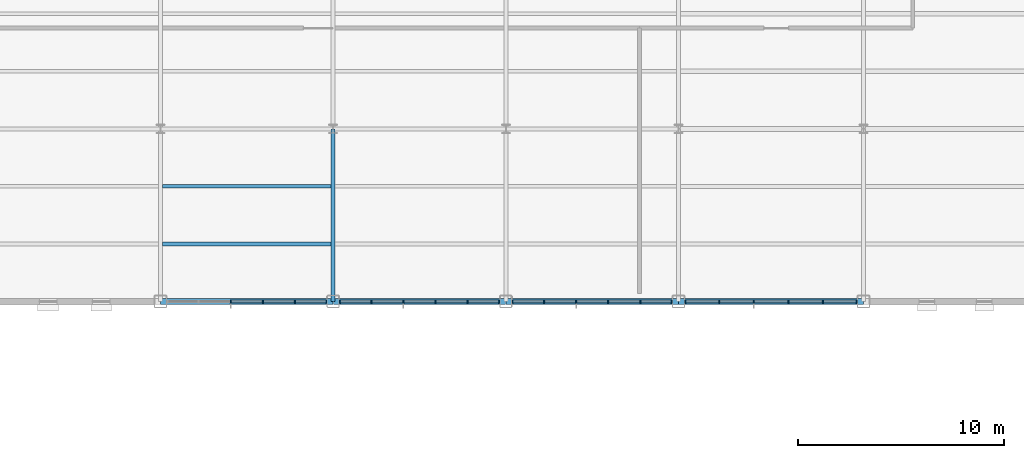
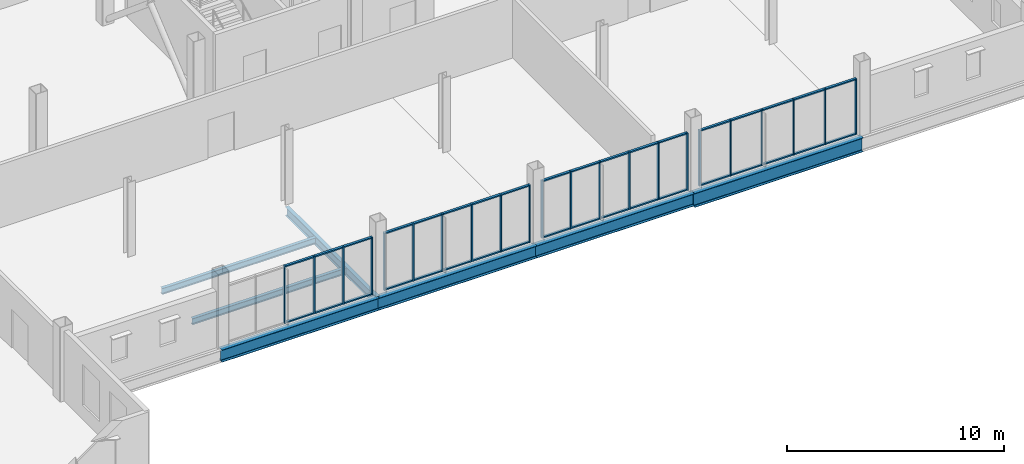
# One storey, part 18 of 45: 58 members, 7 beams, 4 elements without a shape of their own.
"""IFC4 building model written with IfcOpenShell, lengths in metres."""

from ifc_helpers import new_model, si_unit, direction, frame, origin, origin_2d, place, context, subcontext, project, spatial, rectangle, i_section, extrude, material, layer, layer_set, material_profile, profile_set, type_object, element, aggregate, save


model = new_model("IFC4")

# Units and contexts
model_context = context("Model", 3, precision=1e-05, world=origin(), true_north=direction((0.0, 1.0)))
body_context = subcontext(model_context, "Body", "Model", "MODEL_VIEW")
ifc_project = project(units=[si_unit("LENGTHUNIT", "METRE"), si_unit("AREAUNIT", "SQUARE_METRE"), si_unit("VOLUMEUNIT", "CUBIC_METRE"), si_unit("PLANEANGLEUNIT", "RADIAN"), si_unit("MASSUNIT", "GRAM", prefix="KILO")], contexts=[model_context])

# Site, building, storey
site_placement = place(None, origin())
site = spatial("IfcSite", under=ifc_project, at=site_placement, CompositionType="ELEMENT")
building_placement = place(site_placement, origin())
building = spatial("IfcBuilding", under=site, at=building_placement, Name="Yukiwa Park Conservatory and Herbarium", CompositionType="ELEMENT")
storey_placement = place(building_placement, frame((0.0, 0.0, 9.0)))
storey = spatial("IfcBuildingStorey", under=building, at=storey_placement, Name="L02", CompositionType="ELEMENT", Elevation=9.0)

# Beams
ifc_material_1 = material(Name="Steel Q355D", Category="steel")
ifc_material_profile_1 = material_profile(ifc_material_1, i_section(OverallWidth=0.199951171875, OverallDepth=0.5, WebThickness=0.010009765625, FlangeThickness=0.01611328125, FilletRadius=0.02001953125, at=origin_2d()), Name="HN 500x200x10x16")
ifc_profile_set_1 = profile_set([ifc_material_profile_1], Name="Steel Q355D")
beam_type_1 = type_object("IfcBeamType", Name="BM-GRD-HN500", PredefinedType="BEAM", material=ifc_profile_set_1)
beam_1_placement = place(storey_placement, frame((133.199951171875, 78.006103515625, -0.4951171875), z_axis=(0.0, 1.0, 0.0), x_axis=(-1.0, 0.0, 0.0)))
element("IfcBeam", 1, at=beam_1_placement, inside=storey, type_object=beam_type_1, Name="L02 grid girder Y-93", PredefinedType="BEAM", context=body_context, shape_type="SweptSolid", body=[
    extrude(i_section(OverallWidth=0.199951171875, OverallDepth=0.5, WebThickness=0.010009765625, FlangeThickness=0.01611328125, FilletRadius=0.02001953125, at=origin_2d()), origin(), (0.0, 0.0, 1.0), 8.387939453125),
])
ifc_material_2 = material(Name="Steel Q355D", Category="steel")
ifc_material_profile_2 = material_profile(ifc_material_2, i_section(OverallWidth=0.174072265625, OverallDepth=0.345947265625, WebThickness=0.006103515625, FlangeThickness=0.009033203125, FilletRadius=0.013916015625, at=origin_2d()), Name="HN 346x174x6x9")
ifc_profile_set_2 = profile_set([ifc_material_profile_2], Name="Steel Q355D")
beam_type_2 = type_object("IfcBeamType", Name="BM-JST-HN346", PredefinedType="JOIST", material=ifc_profile_set_2)
for number, where, z_axis, x_axis, name in (
    (2, (124.89599609375, 80.800048828125, -0.41796875), (1.0, 0.0, 0.0), (0.0, 1.0, 0.0), "L02 composite floor joist 45"),
    (3, (124.89599609375, 83.60009765625, -0.41796875), (1.0, 0.0, 0.0), (0.0, 1.0, 0.0), "L02 composite floor joist 46"),
):
    element("IfcBeam", number, at=place(storey_placement, frame(where, z_axis=z_axis, x_axis=x_axis)), inside=storey, type_object=beam_type_2, Name=name, PredefinedType="JOIST", context=body_context, shape_type="SweptSolid", body=[
        extrude(i_section(OverallWidth=0.174072265625, OverallDepth=0.345947265625, WebThickness=0.006103515625, FlangeThickness=0.009033203125, FilletRadius=0.013916015625, at=origin_2d()), origin(), (0.0, 0.0, 1.0), 8.2080078125),
    ])
ifc_material_3 = material(Name="Steel Q355D", Category="steel")
ifc_material_profile_3 = material_profile(ifc_material_3, i_section(OverallWidth=0.300048828125, OverallDepth=0.69189453125, WebThickness=0.012939453125, FlangeThickness=0.02001953125, FilletRadius=0.028076171875, at=origin_2d()), Name="HN 692x300x13x20")
ifc_profile_set_3 = profile_set([ifc_material_profile_3], Name="Steel Q355D")
beam_type_3 = type_object("IfcBeamType", Name="BM-SPN-HN550", PredefinedType="SPANDREL", material=ifc_profile_set_3)
beam_2_placement = place(storey_placement, frame((124.805908203125, 78.0, -0.591064453125), z_axis=(1.0, 0.0, 0.0), x_axis=(0.0, 1.0, 0.0)))
element("IfcBeam", 4, at=beam_2_placement, inside=storey, type_object=beam_type_3, Name="L02 spandrel beam X-29", PredefinedType="SPANDREL", context=body_context, shape_type="SweptSolid", body=[
    extrude(i_section(OverallWidth=0.300048828125, OverallDepth=0.69189453125, WebThickness=0.012939453125, FlangeThickness=0.02001953125, FilletRadius=0.028076171875, at=origin_2d()), origin(), (0.0, 0.0, 1.0), 8.38818359375),
])
for number, where, z_axis, x_axis, name in (
    (5, (133.2060546875, 78.0, -0.591064453125), (1.0, 0.0, 0.0), (0.0, 1.0, 0.0), "L02 spandrel beam X-30"),
    (6, (141.60595703125, 78.0, -0.591064453125), (1.0, 0.0, 0.0), (0.0, 1.0, 0.0), "L02 spandrel beam X-31"),
):
    element("IfcBeam", number, at=place(storey_placement, frame(where, z_axis=z_axis, x_axis=x_axis)), inside=storey, type_object=beam_type_3, Name=name, PredefinedType="SPANDREL", context=body_context, shape_type="SweptSolid", body=[
        extrude(i_section(OverallWidth=0.300048828125, OverallDepth=0.69189453125, WebThickness=0.012939453125, FlangeThickness=0.02001953125, FilletRadius=0.028076171875, at=origin_2d()), origin(), (0.0, 0.0, 1.0), 8.387939453125),
    ])
ifc_material_4 = material(Name="Steel Q355D", Category="steel")
ifc_material_profile_4 = material_profile(ifc_material_4, i_section(OverallWidth=0.300048828125, OverallDepth=0.7919921875, WebThickness=0.013916015625, FlangeThickness=0.02197265625, FilletRadius=0.028076171875, at=origin_2d()), Name="HN 792x300x14x22")
ifc_profile_set_4 = profile_set([ifc_material_profile_4], Name="Steel Q355D")
beam_type_4 = type_object("IfcBeamType", Name="BM-SPN-HN600", PredefinedType="SPANDREL", material=ifc_profile_set_4)
beam_3_placement = place(storey_placement, frame((150.006103515625, 78.0, -0.64111328125), z_axis=(1.0, 0.0, 0.0), x_axis=(0.0, 1.0, 0.0)))
element("IfcBeam", 7, at=beam_3_placement, inside=storey, type_object=beam_type_4, Name="L02 spandrel beam X-32", PredefinedType="SPANDREL", context=body_context, shape_type="SweptSolid", body=[
    extrude(i_section(OverallWidth=0.300048828125, OverallDepth=0.7919921875, WebThickness=0.013916015625, FlangeThickness=0.02197265625, FilletRadius=0.028076171875, at=origin_2d()), origin(), (0.0, 0.0, 1.0), 8.98779296875),
])

# Curtain wall, members
ifc_material_5 = material(Name="Triple Low-E Insulated Glass", Category="glass")
ifc_layer = layer(ifc_material_5, 0.199951171875)
ifc_layer_set = layer_set([ifc_layer], Name="Triple Low-E Insulated Glass")
curtain_wall_type = type_object("IfcCurtainWallType", Name="CW-VISITOR-1600", PredefinedType="NOTDEFINED", material=ifc_layer_set)
curtain_wall_1_placement = place(storey_placement, origin())
curtain_wall_1 = element("IfcCurtainWall", 8, at=curtain_wall_1_placement, inside=storey, type_object=curtain_wall_type, Name="L02 unitised curtain wall CW-L02-062", PredefinedType="NOTDEFINED")
ifc_material_6 = material(Name="Anodised Aluminium", Category="aluminium")
member_type_1 = type_object("IfcMemberType", Name="MB-CW-MUL-70X150", PredefinedType="MULLION", material=ifc_material_6)
member_1_placement = place(storey_placement, frame((128.219970703125, 78.0, 0.0), z_axis=(0.0, 0.0, 1.0), x_axis=(1.0, 0.0, 0.0)))
member_1 = element("IfcMember", 9, at=member_1_placement, type_object=member_type_1, Name="CW-L02-062 mullion 3", PredefinedType="MULLION", context=body_context, shape_type="SweptSolid", body=[
    extrude(rectangle(XDim=0.070068359375, YDim=0.14990234375, at=origin_2d()), origin(), (0.0, 0.0, 1.0), 3.242919921875),
])
member_2_placement = place(storey_placement, frame((129.780029296875, 78.0, 0.0), z_axis=(0.0, 0.0, 1.0), x_axis=(1.0, 0.0, 0.0)))
member_2 = element("IfcMember", 10, at=member_2_placement, type_object=member_type_1, Name="CW-L02-062 mullion 4", PredefinedType="MULLION", context=body_context, shape_type="SweptSolid", body=[
    extrude(rectangle(XDim=0.070068359375, YDim=0.14990234375, at=origin_2d()), origin(), (0.0, 0.0, 1.0), 3.242919921875),
])
member_3_placement = place(storey_placement, frame((131.340087890625, 78.0, 0.0), z_axis=(0.0, 0.0, 1.0), x_axis=(1.0, 0.0, 0.0)))
member_3 = element("IfcMember", 11, at=member_3_placement, type_object=member_type_1, Name="CW-L02-062 mullion 5", PredefinedType="MULLION", context=body_context, shape_type="SweptSolid", body=[
    extrude(rectangle(XDim=0.070068359375, YDim=0.14990234375, at=origin_2d()), origin(), (0.0, 0.0, 1.0), 3.242919921875),
])
member_4_placement = place(storey_placement, frame((132.864990234375, 78.0, 0.0), z_axis=(0.0, 0.0, 1.0), x_axis=(1.0, 0.0, 0.0)))
member_4 = element("IfcMember", 12, at=member_4_placement, type_object=member_type_1, Name="CW-L02-062 mullion 6", PredefinedType="MULLION", context=body_context, shape_type="SweptSolid", body=[
    extrude(rectangle(XDim=0.070068359375, YDim=0.14990234375, at=origin_2d()), origin(), (0.0, 0.0, 1.0), 3.242919921875),
])

curtain_wall_2_placement = place(storey_placement, origin())
curtain_wall_2 = element("IfcCurtainWall", 13, at=curtain_wall_2_placement, inside=storey, type_object=curtain_wall_type, Name="L02 unitised curtain wall CW-L02-063", PredefinedType="NOTDEFINED")
member_5_placement = place(storey_placement, frame((133.534912109375, 78.0, 0.0), z_axis=(0.0, 0.0, 1.0), x_axis=(1.0, 0.0, 0.0)))
member_5 = element("IfcMember", 14, at=member_5_placement, type_object=member_type_1, Name="CW-L02-063 mullion 1", PredefinedType="MULLION", context=body_context, shape_type="SweptSolid", body=[
    extrude(rectangle(XDim=0.070068359375, YDim=0.14990234375, at=origin_2d()), origin(), (0.0, 0.0, 1.0), 3.242919921875),
])
member_6_placement = place(storey_placement, frame((135.06005859375, 78.0, 0.0), z_axis=(0.0, 0.0, 1.0), x_axis=(1.0, 0.0, 0.0)))
member_6 = element("IfcMember", 15, at=member_6_placement, type_object=member_type_1, Name="CW-L02-063 mullion 2", PredefinedType="MULLION", context=body_context, shape_type="SweptSolid", body=[
    extrude(rectangle(XDim=0.070068359375, YDim=0.14990234375, at=origin_2d()), origin(), (0.0, 0.0, 1.0), 3.242919921875),
])
member_7_placement = place(storey_placement, frame((136.6201171875, 78.0, 0.0), z_axis=(0.0, 0.0, 1.0), x_axis=(1.0, 0.0, 0.0)))
member_7 = element("IfcMember", 16, at=member_7_placement, type_object=member_type_1, Name="CW-L02-063 mullion 3", PredefinedType="MULLION", context=body_context, shape_type="SweptSolid", body=[
    extrude(rectangle(XDim=0.070068359375, YDim=0.14990234375, at=origin_2d()), origin(), (0.0, 0.0, 1.0), 3.242919921875),
])
member_8_placement = place(storey_placement, frame((138.179931640625, 78.0, 0.0), z_axis=(0.0, 0.0, 1.0), x_axis=(1.0, 0.0, 0.0)))
member_8 = element("IfcMember", 17, at=member_8_placement, type_object=member_type_1, Name="CW-L02-063 mullion 4", PredefinedType="MULLION", context=body_context, shape_type="SweptSolid", body=[
    extrude(rectangle(XDim=0.070068359375, YDim=0.14990234375, at=origin_2d()), origin(), (0.0, 0.0, 1.0), 3.242919921875),
])
member_9_placement = place(storey_placement, frame((139.739990234375, 78.0, 0.0), z_axis=(0.0, 0.0, 1.0), x_axis=(1.0, 0.0, 0.0)))
member_9 = element("IfcMember", 18, at=member_9_placement, type_object=member_type_1, Name="CW-L02-063 mullion 5", PredefinedType="MULLION", context=body_context, shape_type="SweptSolid", body=[
    extrude(rectangle(XDim=0.070068359375, YDim=0.14990234375, at=origin_2d()), origin(), (0.0, 0.0, 1.0), 3.242919921875),
])
member_10_placement = place(storey_placement, frame((141.264892578125, 78.0, 0.0), z_axis=(0.0, 0.0, 1.0), x_axis=(1.0, 0.0, 0.0)))
member_10 = element("IfcMember", 19, at=member_10_placement, type_object=member_type_1, Name="CW-L02-063 mullion 6", PredefinedType="MULLION", context=body_context, shape_type="SweptSolid", body=[
    extrude(rectangle(XDim=0.070068359375, YDim=0.14990234375, at=origin_2d()), origin(), (0.0, 0.0, 1.0), 3.242919921875),
])

curtain_wall_3_placement = place(storey_placement, origin())
curtain_wall_3 = element("IfcCurtainWall", 20, at=curtain_wall_3_placement, inside=storey, type_object=curtain_wall_type, Name="L02 unitised curtain wall CW-L02-064", PredefinedType="NOTDEFINED")
member_11_placement = place(storey_placement, frame((141.93505859375, 78.0, 0.0), z_axis=(0.0, 0.0, 1.0), x_axis=(1.0, 0.0, 0.0)))
member_11 = element("IfcMember", 21, at=member_11_placement, type_object=member_type_1, Name="CW-L02-064 mullion 1", PredefinedType="MULLION", context=body_context, shape_type="SweptSolid", body=[
    extrude(rectangle(XDim=0.070068359375, YDim=0.14990234375, at=origin_2d()), origin(), (0.0, 0.0, 1.0), 3.242919921875),
])
member_12_placement = place(storey_placement, frame((143.4599609375, 78.0, 0.0), z_axis=(0.0, 0.0, 1.0), x_axis=(1.0, 0.0, 0.0)))
member_12 = element("IfcMember", 22, at=member_12_placement, type_object=member_type_1, Name="CW-L02-064 mullion 2", PredefinedType="MULLION", context=body_context, shape_type="SweptSolid", body=[
    extrude(rectangle(XDim=0.070068359375, YDim=0.14990234375, at=origin_2d()), origin(), (0.0, 0.0, 1.0), 3.242919921875),
])
member_13_placement = place(storey_placement, frame((145.02001953125, 78.0, 0.0), z_axis=(0.0, 0.0, 1.0), x_axis=(1.0, 0.0, 0.0)))
member_13 = element("IfcMember", 23, at=member_13_placement, type_object=member_type_1, Name="CW-L02-064 mullion 3", PredefinedType="MULLION", context=body_context, shape_type="SweptSolid", body=[
    extrude(rectangle(XDim=0.070068359375, YDim=0.14990234375, at=origin_2d()), origin(), (0.0, 0.0, 1.0), 3.242919921875),
])
member_14_placement = place(storey_placement, frame((146.580078125, 78.0, 0.0), z_axis=(0.0, 0.0, 1.0), x_axis=(1.0, 0.0, 0.0)))
member_14 = element("IfcMember", 24, at=member_14_placement, type_object=member_type_1, Name="CW-L02-064 mullion 4", PredefinedType="MULLION", context=body_context, shape_type="SweptSolid", body=[
    extrude(rectangle(XDim=0.070068359375, YDim=0.14990234375, at=origin_2d()), origin(), (0.0, 0.0, 1.0), 3.242919921875),
])
member_15_placement = place(storey_placement, frame((148.139892578125, 78.0, 0.0), z_axis=(0.0, 0.0, 1.0), x_axis=(1.0, 0.0, 0.0)))
member_15 = element("IfcMember", 25, at=member_15_placement, type_object=member_type_1, Name="CW-L02-064 mullion 5", PredefinedType="MULLION", context=body_context, shape_type="SweptSolid", body=[
    extrude(rectangle(XDim=0.070068359375, YDim=0.14990234375, at=origin_2d()), origin(), (0.0, 0.0, 1.0), 3.242919921875),
])
member_16_placement = place(storey_placement, frame((149.6650390625, 78.0, 0.0), z_axis=(0.0, 0.0, 1.0), x_axis=(1.0, 0.0, 0.0)))
member_16 = element("IfcMember", 26, at=member_16_placement, type_object=member_type_1, Name="CW-L02-064 mullion 6", PredefinedType="MULLION", context=body_context, shape_type="SweptSolid", body=[
    extrude(rectangle(XDim=0.070068359375, YDim=0.14990234375, at=origin_2d()), origin(), (0.0, 0.0, 1.0), 3.242919921875),
])

curtain_wall_4_placement = place(storey_placement, origin())
curtain_wall_4 = element("IfcCurtainWall", 27, at=curtain_wall_4_placement, inside=storey, type_object=curtain_wall_type, Name="L02 unitised curtain wall CW-L02-065", PredefinedType="NOTDEFINED")
member_17_placement = place(storey_placement, frame((150.3349609375, 78.0, 0.0), z_axis=(0.0, 0.0, 1.0), x_axis=(1.0, 0.0, 0.0)))
member_17 = element("IfcMember", 28, at=member_17_placement, type_object=member_type_1, Name="CW-L02-065 mullion 1", PredefinedType="MULLION", context=body_context, shape_type="SweptSolid", body=[
    extrude(rectangle(XDim=0.070068359375, YDim=0.14990234375, at=origin_2d()), origin(), (0.0, 0.0, 1.0), 3.14306640625),
])
member_18_placement = place(storey_placement, frame((151.97998046875, 78.0, 0.0), z_axis=(0.0, 0.0, 1.0), x_axis=(1.0, 0.0, 0.0)))
member_18 = element("IfcMember", 29, at=member_18_placement, type_object=member_type_1, Name="CW-L02-065 mullion 2", PredefinedType="MULLION", context=body_context, shape_type="SweptSolid", body=[
    extrude(rectangle(XDim=0.070068359375, YDim=0.14990234375, at=origin_2d()), origin(), (0.0, 0.0, 1.0), 3.14306640625),
])
member_19_placement = place(storey_placement, frame((153.659912109375, 78.0, 0.0), z_axis=(0.0, 0.0, 1.0), x_axis=(1.0, 0.0, 0.0)))
member_19 = element("IfcMember", 30, at=member_19_placement, type_object=member_type_1, Name="CW-L02-065 mullion 3", PredefinedType="MULLION", context=body_context, shape_type="SweptSolid", body=[
    extrude(rectangle(XDim=0.070068359375, YDim=0.14990234375, at=origin_2d()), origin(), (0.0, 0.0, 1.0), 3.14306640625),
])
member_20_placement = place(storey_placement, frame((155.340087890625, 78.0, 0.0), z_axis=(0.0, 0.0, 1.0), x_axis=(1.0, 0.0, 0.0)))
member_20 = element("IfcMember", 31, at=member_20_placement, type_object=member_type_1, Name="CW-L02-065 mullion 4", PredefinedType="MULLION", context=body_context, shape_type="SweptSolid", body=[
    extrude(rectangle(XDim=0.070068359375, YDim=0.14990234375, at=origin_2d()), origin(), (0.0, 0.0, 1.0), 3.14306640625),
])
member_21_placement = place(storey_placement, frame((157.02001953125, 78.0, 0.0), z_axis=(0.0, 0.0, 1.0), x_axis=(1.0, 0.0, 0.0)))
member_21 = element("IfcMember", 32, at=member_21_placement, type_object=member_type_1, Name="CW-L02-065 mullion 5", PredefinedType="MULLION", context=body_context, shape_type="SweptSolid", body=[
    extrude(rectangle(XDim=0.070068359375, YDim=0.14990234375, at=origin_2d()), origin(), (0.0, 0.0, 1.0), 3.14306640625),
])
member_22_placement = place(storey_placement, frame((158.6650390625, 78.0, 0.0), z_axis=(0.0, 0.0, 1.0), x_axis=(1.0, 0.0, 0.0)))
member_22 = element("IfcMember", 33, at=member_22_placement, type_object=member_type_1, Name="CW-L02-065 mullion 6", PredefinedType="MULLION", context=body_context, shape_type="SweptSolid", body=[
    extrude(rectangle(XDim=0.070068359375, YDim=0.14990234375, at=origin_2d()), origin(), (0.0, 0.0, 1.0), 3.14306640625),
])

# Member
ifc_material_7 = material(Name="Anodised Aluminium", Category="aluminium")
member_type_2 = type_object("IfcMemberType", Name="MB-CW-TRN-70X130", PredefinedType="USERDEFINED", material=ifc_material_7)
member_23_placement = place(storey_placement, frame((129.0, 78.0, 0.0), z_axis=(0.0, 0.0, 1.0), x_axis=(1.0, 0.0, 0.0)))
member_23 = element("IfcMember", 34, at=member_23_placement, type_object=member_type_2, Name="CW-L02-062 transom 3.1", ObjectType="TRANSOM", PredefinedType="USERDEFINED", context=body_context, shape_type="SweptSolid", body=[
    extrude(rectangle(XDim=1.489990234375, YDim=0.1298828125, at=origin_2d()), origin(), (0.0, 0.0, 1.0), 0.070068359375),
])

member_24_placement = place(storey_placement, frame((129.0, 78.0, 3.1728515625), z_axis=(0.0, 0.0, 1.0), x_axis=(1.0, 0.0, 0.0)))
member_24 = element("IfcMember", 35, at=member_24_placement, type_object=member_type_2, Name="CW-L02-062 transom 3.2", ObjectType="TRANSOM", PredefinedType="USERDEFINED", context=body_context, shape_type="SweptSolid", body=[
    extrude(rectangle(XDim=1.489990234375, YDim=0.1298828125, at=origin_2d()), origin(), (0.0, 0.0, 1.0), 0.070068359375),
])

member_25_placement = place(storey_placement, frame((130.56005859375, 78.0, 0.0), z_axis=(0.0, 0.0, 1.0), x_axis=(1.0, 0.0, 0.0)))
member_25 = element("IfcMember", 36, at=member_25_placement, type_object=member_type_2, Name="CW-L02-062 transom 4.1", ObjectType="TRANSOM", PredefinedType="USERDEFINED", context=body_context, shape_type="SweptSolid", body=[
    extrude(rectangle(XDim=1.489990234375, YDim=0.1298828125, at=origin_2d()), origin(), (0.0, 0.0, 1.0), 0.070068359375),
])

member_26_placement = place(storey_placement, frame((130.56005859375, 78.0, 3.1728515625), z_axis=(0.0, 0.0, 1.0), x_axis=(1.0, 0.0, 0.0)))
member_26 = element("IfcMember", 37, at=member_26_placement, type_object=member_type_2, Name="CW-L02-062 transom 4.2", ObjectType="TRANSOM", PredefinedType="USERDEFINED", context=body_context, shape_type="SweptSolid", body=[
    extrude(rectangle(XDim=1.489990234375, YDim=0.1298828125, at=origin_2d()), origin(), (0.0, 0.0, 1.0), 0.070068359375),
])

member_27_placement = place(storey_placement, frame((132.1201171875, 78.0, 0.0), z_axis=(0.0, 0.0, 1.0), x_axis=(1.0, 0.0, 0.0)))
member_27 = element("IfcMember", 38, at=member_27_placement, type_object=member_type_2, Name="CW-L02-062 transom 5.1", ObjectType="TRANSOM", PredefinedType="USERDEFINED", context=body_context, shape_type="SweptSolid", body=[
    extrude(rectangle(XDim=1.489990234375, YDim=0.1298828125, at=origin_2d()), origin(), (0.0, 0.0, 1.0), 0.070068359375),
])

member_28_placement = place(storey_placement, frame((132.1201171875, 78.0, 3.1728515625), z_axis=(0.0, 0.0, 1.0), x_axis=(1.0, 0.0, 0.0)))
member_28 = element("IfcMember", 39, at=member_28_placement, type_object=member_type_2, Name="CW-L02-062 transom 5.2", ObjectType="TRANSOM", PredefinedType="USERDEFINED", context=body_context, shape_type="SweptSolid", body=[
    extrude(rectangle(XDim=1.489990234375, YDim=0.1298828125, at=origin_2d()), origin(), (0.0, 0.0, 1.0), 0.070068359375),
])

aggregate(curtain_wall_1, [member_1, member_2, member_3, member_4, member_23, member_24, member_25, member_26, member_27, member_28])

member_29_placement = place(storey_placement, frame((134.280029296875, 78.0, 0.0), z_axis=(0.0, 0.0, 1.0), x_axis=(1.0, 0.0, 0.0)))
member_29 = element("IfcMember", 40, at=member_29_placement, type_object=member_type_2, Name="CW-L02-063 transom 1.1", ObjectType="TRANSOM", PredefinedType="USERDEFINED", context=body_context, shape_type="SweptSolid", body=[
    extrude(rectangle(XDim=1.489990234375, YDim=0.1298828125, at=origin_2d()), origin(), (0.0, 0.0, 1.0), 0.070068359375),
])

member_30_placement = place(storey_placement, frame((134.280029296875, 78.0, 3.1728515625), z_axis=(0.0, 0.0, 1.0), x_axis=(1.0, 0.0, 0.0)))
member_30 = element("IfcMember", 41, at=member_30_placement, type_object=member_type_2, Name="CW-L02-063 transom 1.2", ObjectType="TRANSOM", PredefinedType="USERDEFINED", context=body_context, shape_type="SweptSolid", body=[
    extrude(rectangle(XDim=1.489990234375, YDim=0.1298828125, at=origin_2d()), origin(), (0.0, 0.0, 1.0), 0.070068359375),
])

member_31_placement = place(storey_placement, frame((135.840087890625, 78.0, 0.0), z_axis=(0.0, 0.0, 1.0), x_axis=(1.0, 0.0, 0.0)))
member_31 = element("IfcMember", 42, at=member_31_placement, type_object=member_type_2, Name="CW-L02-063 transom 2.1", ObjectType="TRANSOM", PredefinedType="USERDEFINED", context=body_context, shape_type="SweptSolid", body=[
    extrude(rectangle(XDim=1.489990234375, YDim=0.1298828125, at=origin_2d()), origin(), (0.0, 0.0, 1.0), 0.070068359375),
])

member_32_placement = place(storey_placement, frame((135.840087890625, 78.0, 3.1728515625), z_axis=(0.0, 0.0, 1.0), x_axis=(1.0, 0.0, 0.0)))
member_32 = element("IfcMember", 43, at=member_32_placement, type_object=member_type_2, Name="CW-L02-063 transom 2.2", ObjectType="TRANSOM", PredefinedType="USERDEFINED", context=body_context, shape_type="SweptSolid", body=[
    extrude(rectangle(XDim=1.489990234375, YDim=0.1298828125, at=origin_2d()), origin(), (0.0, 0.0, 1.0), 0.070068359375),
])

member_33_placement = place(storey_placement, frame((137.39990234375, 78.0, 0.0), z_axis=(0.0, 0.0, 1.0), x_axis=(1.0, 0.0, 0.0)))
member_33 = element("IfcMember", 44, at=member_33_placement, type_object=member_type_2, Name="CW-L02-063 transom 3.1", ObjectType="TRANSOM", PredefinedType="USERDEFINED", context=body_context, shape_type="SweptSolid", body=[
    extrude(rectangle(XDim=1.489990234375, YDim=0.1298828125, at=origin_2d()), origin(), (0.0, 0.0, 1.0), 0.070068359375),
])

member_34_placement = place(storey_placement, frame((137.39990234375, 78.0, 3.1728515625), z_axis=(0.0, 0.0, 1.0), x_axis=(1.0, 0.0, 0.0)))
member_34 = element("IfcMember", 45, at=member_34_placement, type_object=member_type_2, Name="CW-L02-063 transom 3.2", ObjectType="TRANSOM", PredefinedType="USERDEFINED", context=body_context, shape_type="SweptSolid", body=[
    extrude(rectangle(XDim=1.489990234375, YDim=0.1298828125, at=origin_2d()), origin(), (0.0, 0.0, 1.0), 0.070068359375),
])

member_35_placement = place(storey_placement, frame((138.9599609375, 78.0, 0.0), z_axis=(0.0, 0.0, 1.0), x_axis=(1.0, 0.0, 0.0)))
member_35 = element("IfcMember", 46, at=member_35_placement, type_object=member_type_2, Name="CW-L02-063 transom 4.1", ObjectType="TRANSOM", PredefinedType="USERDEFINED", context=body_context, shape_type="SweptSolid", body=[
    extrude(rectangle(XDim=1.489990234375, YDim=0.1298828125, at=origin_2d()), origin(), (0.0, 0.0, 1.0), 0.070068359375),
])

member_36_placement = place(storey_placement, frame((138.9599609375, 78.0, 3.1728515625), z_axis=(0.0, 0.0, 1.0), x_axis=(1.0, 0.0, 0.0)))
member_36 = element("IfcMember", 47, at=member_36_placement, type_object=member_type_2, Name="CW-L02-063 transom 4.2", ObjectType="TRANSOM", PredefinedType="USERDEFINED", context=body_context, shape_type="SweptSolid", body=[
    extrude(rectangle(XDim=1.489990234375, YDim=0.1298828125, at=origin_2d()), origin(), (0.0, 0.0, 1.0), 0.070068359375),
])

member_37_placement = place(storey_placement, frame((140.52001953125, 78.0, 0.0), z_axis=(0.0, 0.0, 1.0), x_axis=(1.0, 0.0, 0.0)))
member_37 = element("IfcMember", 48, at=member_37_placement, type_object=member_type_2, Name="CW-L02-063 transom 5.1", ObjectType="TRANSOM", PredefinedType="USERDEFINED", context=body_context, shape_type="SweptSolid", body=[
    extrude(rectangle(XDim=1.489990234375, YDim=0.1298828125, at=origin_2d()), origin(), (0.0, 0.0, 1.0), 0.070068359375),
])

member_38_placement = place(storey_placement, frame((140.52001953125, 78.0, 3.1728515625), z_axis=(0.0, 0.0, 1.0), x_axis=(1.0, 0.0, 0.0)))
member_38 = element("IfcMember", 49, at=member_38_placement, type_object=member_type_2, Name="CW-L02-063 transom 5.2", ObjectType="TRANSOM", PredefinedType="USERDEFINED", context=body_context, shape_type="SweptSolid", body=[
    extrude(rectangle(XDim=1.489990234375, YDim=0.1298828125, at=origin_2d()), origin(), (0.0, 0.0, 1.0), 0.070068359375),
])

aggregate(curtain_wall_2, [member_5, member_6, member_7, member_8, member_9, member_10, member_29, member_30, member_31, member_32, member_33, member_34, member_35, member_36, member_37, member_38])

member_39_placement = place(storey_placement, frame((142.679931640625, 78.0, 0.0), z_axis=(0.0, 0.0, 1.0), x_axis=(1.0, 0.0, 0.0)))
member_39 = element("IfcMember", 50, at=member_39_placement, type_object=member_type_2, Name="CW-L02-064 transom 1.1", ObjectType="TRANSOM", PredefinedType="USERDEFINED", context=body_context, shape_type="SweptSolid", body=[
    extrude(rectangle(XDim=1.489990234375, YDim=0.1298828125, at=origin_2d()), origin(), (0.0, 0.0, 1.0), 0.070068359375),
])

member_40_placement = place(storey_placement, frame((142.679931640625, 78.0, 3.1728515625), z_axis=(0.0, 0.0, 1.0), x_axis=(1.0, 0.0, 0.0)))
member_40 = element("IfcMember", 51, at=member_40_placement, type_object=member_type_2, Name="CW-L02-064 transom 1.2", ObjectType="TRANSOM", PredefinedType="USERDEFINED", context=body_context, shape_type="SweptSolid", body=[
    extrude(rectangle(XDim=1.489990234375, YDim=0.1298828125, at=origin_2d()), origin(), (0.0, 0.0, 1.0), 0.070068359375),
])

member_41_placement = place(storey_placement, frame((144.239990234375, 78.0, 0.0), z_axis=(0.0, 0.0, 1.0), x_axis=(1.0, 0.0, 0.0)))
member_41 = element("IfcMember", 52, at=member_41_placement, type_object=member_type_2, Name="CW-L02-064 transom 2.1", ObjectType="TRANSOM", PredefinedType="USERDEFINED", context=body_context, shape_type="SweptSolid", body=[
    extrude(rectangle(XDim=1.489990234375, YDim=0.1298828125, at=origin_2d()), origin(), (0.0, 0.0, 1.0), 0.070068359375),
])

member_42_placement = place(storey_placement, frame((144.239990234375, 78.0, 3.1728515625), z_axis=(0.0, 0.0, 1.0), x_axis=(1.0, 0.0, 0.0)))
member_42 = element("IfcMember", 53, at=member_42_placement, type_object=member_type_2, Name="CW-L02-064 transom 2.2", ObjectType="TRANSOM", PredefinedType="USERDEFINED", context=body_context, shape_type="SweptSolid", body=[
    extrude(rectangle(XDim=1.489990234375, YDim=0.1298828125, at=origin_2d()), origin(), (0.0, 0.0, 1.0), 0.070068359375),
])

member_43_placement = place(storey_placement, frame((145.800048828125, 78.0, 0.0), z_axis=(0.0, 0.0, 1.0), x_axis=(1.0, 0.0, 0.0)))
member_43 = element("IfcMember", 54, at=member_43_placement, type_object=member_type_2, Name="CW-L02-064 transom 3.1", ObjectType="TRANSOM", PredefinedType="USERDEFINED", context=body_context, shape_type="SweptSolid", body=[
    extrude(rectangle(XDim=1.489990234375, YDim=0.1298828125, at=origin_2d()), origin(), (0.0, 0.0, 1.0), 0.070068359375),
])

member_44_placement = place(storey_placement, frame((145.800048828125, 78.0, 3.1728515625), z_axis=(0.0, 0.0, 1.0), x_axis=(1.0, 0.0, 0.0)))
member_44 = element("IfcMember", 55, at=member_44_placement, type_object=member_type_2, Name="CW-L02-064 transom 3.2", ObjectType="TRANSOM", PredefinedType="USERDEFINED", context=body_context, shape_type="SweptSolid", body=[
    extrude(rectangle(XDim=1.489990234375, YDim=0.1298828125, at=origin_2d()), origin(), (0.0, 0.0, 1.0), 0.070068359375),
])

member_45_placement = place(storey_placement, frame((147.360107421875, 78.0, 0.0), z_axis=(0.0, 0.0, 1.0), x_axis=(1.0, 0.0, 0.0)))
member_45 = element("IfcMember", 56, at=member_45_placement, type_object=member_type_2, Name="CW-L02-064 transom 4.1", ObjectType="TRANSOM", PredefinedType="USERDEFINED", context=body_context, shape_type="SweptSolid", body=[
    extrude(rectangle(XDim=1.489990234375, YDim=0.1298828125, at=origin_2d()), origin(), (0.0, 0.0, 1.0), 0.070068359375),
])

member_46_placement = place(storey_placement, frame((147.360107421875, 78.0, 3.1728515625), z_axis=(0.0, 0.0, 1.0), x_axis=(1.0, 0.0, 0.0)))
member_46 = element("IfcMember", 57, at=member_46_placement, type_object=member_type_2, Name="CW-L02-064 transom 4.2", ObjectType="TRANSOM", PredefinedType="USERDEFINED", context=body_context, shape_type="SweptSolid", body=[
    extrude(rectangle(XDim=1.489990234375, YDim=0.1298828125, at=origin_2d()), origin(), (0.0, 0.0, 1.0), 0.070068359375),
])

member_47_placement = place(storey_placement, frame((148.919921875, 78.0, 0.0), z_axis=(0.0, 0.0, 1.0), x_axis=(1.0, 0.0, 0.0)))
member_47 = element("IfcMember", 58, at=member_47_placement, type_object=member_type_2, Name="CW-L02-064 transom 5.1", ObjectType="TRANSOM", PredefinedType="USERDEFINED", context=body_context, shape_type="SweptSolid", body=[
    extrude(rectangle(XDim=1.489990234375, YDim=0.1298828125, at=origin_2d()), origin(), (0.0, 0.0, 1.0), 0.070068359375),
])

member_48_placement = place(storey_placement, frame((148.919921875, 78.0, 3.1728515625), z_axis=(0.0, 0.0, 1.0), x_axis=(1.0, 0.0, 0.0)))
member_48 = element("IfcMember", 59, at=member_48_placement, type_object=member_type_2, Name="CW-L02-064 transom 5.2", ObjectType="TRANSOM", PredefinedType="USERDEFINED", context=body_context, shape_type="SweptSolid", body=[
    extrude(rectangle(XDim=1.489990234375, YDim=0.1298828125, at=origin_2d()), origin(), (0.0, 0.0, 1.0), 0.070068359375),
])

aggregate(curtain_wall_3, [member_11, member_12, member_13, member_14, member_15, member_16, member_39, member_40, member_41, member_42, member_43, member_44, member_45, member_46, member_47, member_48])

member_49_placement = place(storey_placement, frame((151.139892578125, 78.0, 0.0), z_axis=(0.0, 0.0, 1.0), x_axis=(1.0, 0.0, 0.0)))
member_49 = element("IfcMember", 60, at=member_49_placement, type_object=member_type_2, Name="CW-L02-065 transom 1.1", ObjectType="TRANSOM", PredefinedType="USERDEFINED", context=body_context, shape_type="SweptSolid", body=[
    extrude(rectangle(XDim=1.610107421875, YDim=0.1298828125, at=origin_2d()), origin(), (0.0, 0.0, 1.0), 0.070068359375),
])

member_50_placement = place(storey_placement, frame((151.139892578125, 78.0, 3.07275390625), z_axis=(0.0, 0.0, 1.0), x_axis=(1.0, 0.0, 0.0)))
member_50 = element("IfcMember", 61, at=member_50_placement, type_object=member_type_2, Name="CW-L02-065 transom 1.2", ObjectType="TRANSOM", PredefinedType="USERDEFINED", context=body_context, shape_type="SweptSolid", body=[
    extrude(rectangle(XDim=1.610107421875, YDim=0.1298828125, at=origin_2d()), origin(), (0.0, 0.0, 1.0), 0.070068359375),
])

member_51_placement = place(storey_placement, frame((152.820068359375, 78.0, 0.0), z_axis=(0.0, 0.0, 1.0), x_axis=(1.0, 0.0, 0.0)))
member_51 = element("IfcMember", 62, at=member_51_placement, type_object=member_type_2, Name="CW-L02-065 transom 2.1", ObjectType="TRANSOM", PredefinedType="USERDEFINED", context=body_context, shape_type="SweptSolid", body=[
    extrude(rectangle(XDim=1.610107421875, YDim=0.1298828125, at=origin_2d()), origin(), (0.0, 0.0, 1.0), 0.070068359375),
])

member_52_placement = place(storey_placement, frame((152.820068359375, 78.0, 3.07275390625), z_axis=(0.0, 0.0, 1.0), x_axis=(1.0, 0.0, 0.0)))
member_52 = element("IfcMember", 63, at=member_52_placement, type_object=member_type_2, Name="CW-L02-065 transom 2.2", ObjectType="TRANSOM", PredefinedType="USERDEFINED", context=body_context, shape_type="SweptSolid", body=[
    extrude(rectangle(XDim=1.610107421875, YDim=0.1298828125, at=origin_2d()), origin(), (0.0, 0.0, 1.0), 0.070068359375),
])

member_53_placement = place(storey_placement, frame((154.5, 78.0, 0.0), z_axis=(0.0, 0.0, 1.0), x_axis=(1.0, 0.0, 0.0)))
member_53 = element("IfcMember", 64, at=member_53_placement, type_object=member_type_2, Name="CW-L02-065 transom 3.1", ObjectType="TRANSOM", PredefinedType="USERDEFINED", context=body_context, shape_type="SweptSolid", body=[
    extrude(rectangle(XDim=1.610107421875, YDim=0.1298828125, at=origin_2d()), origin(), (0.0, 0.0, 1.0), 0.070068359375),
])

member_54_placement = place(storey_placement, frame((154.5, 78.0, 3.07275390625), z_axis=(0.0, 0.0, 1.0), x_axis=(1.0, 0.0, 0.0)))
member_54 = element("IfcMember", 65, at=member_54_placement, type_object=member_type_2, Name="CW-L02-065 transom 3.2", ObjectType="TRANSOM", PredefinedType="USERDEFINED", context=body_context, shape_type="SweptSolid", body=[
    extrude(rectangle(XDim=1.610107421875, YDim=0.1298828125, at=origin_2d()), origin(), (0.0, 0.0, 1.0), 0.070068359375),
])

member_55_placement = place(storey_placement, frame((156.179931640625, 78.0, 0.0), z_axis=(0.0, 0.0, 1.0), x_axis=(1.0, 0.0, 0.0)))
member_55 = element("IfcMember", 66, at=member_55_placement, type_object=member_type_2, Name="CW-L02-065 transom 4.1", ObjectType="TRANSOM", PredefinedType="USERDEFINED", context=body_context, shape_type="SweptSolid", body=[
    extrude(rectangle(XDim=1.610107421875, YDim=0.1298828125, at=origin_2d()), origin(), (0.0, 0.0, 1.0), 0.070068359375),
])

member_56_placement = place(storey_placement, frame((156.179931640625, 78.0, 3.07275390625), z_axis=(0.0, 0.0, 1.0), x_axis=(1.0, 0.0, 0.0)))
member_56 = element("IfcMember", 67, at=member_56_placement, type_object=member_type_2, Name="CW-L02-065 transom 4.2", ObjectType="TRANSOM", PredefinedType="USERDEFINED", context=body_context, shape_type="SweptSolid", body=[
    extrude(rectangle(XDim=1.610107421875, YDim=0.1298828125, at=origin_2d()), origin(), (0.0, 0.0, 1.0), 0.070068359375),
])

member_57_placement = place(storey_placement, frame((157.860107421875, 78.0, 0.0), z_axis=(0.0, 0.0, 1.0), x_axis=(1.0, 0.0, 0.0)))
member_57 = element("IfcMember", 68, at=member_57_placement, type_object=member_type_2, Name="CW-L02-065 transom 5.1", ObjectType="TRANSOM", PredefinedType="USERDEFINED", context=body_context, shape_type="SweptSolid", body=[
    extrude(rectangle(XDim=1.610107421875, YDim=0.1298828125, at=origin_2d()), origin(), (0.0, 0.0, 1.0), 0.070068359375),
])

member_58_placement = place(storey_placement, frame((157.860107421875, 78.0, 3.07275390625), z_axis=(0.0, 0.0, 1.0), x_axis=(1.0, 0.0, 0.0)))
member_58 = element("IfcMember", 69, at=member_58_placement, type_object=member_type_2, Name="CW-L02-065 transom 5.2", ObjectType="TRANSOM", PredefinedType="USERDEFINED", context=body_context, shape_type="SweptSolid", body=[
    extrude(rectangle(XDim=1.610107421875, YDim=0.1298828125, at=origin_2d()), origin(), (0.0, 0.0, 1.0), 0.070068359375),
])

aggregate(curtain_wall_4, [member_17, member_18, member_19, member_20, member_21, member_22, member_49, member_50, member_51, member_52, member_53, member_54, member_55, member_56, member_57, member_58])

save(model, "model.ifc")
